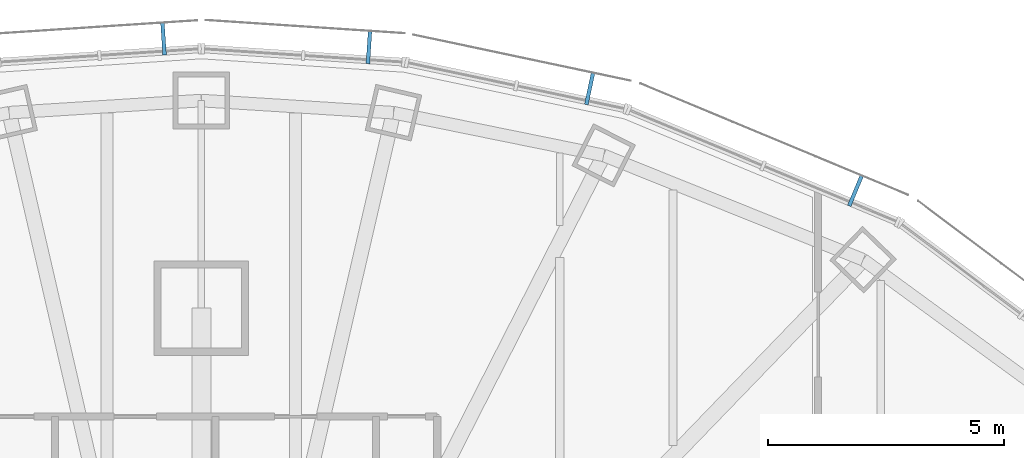
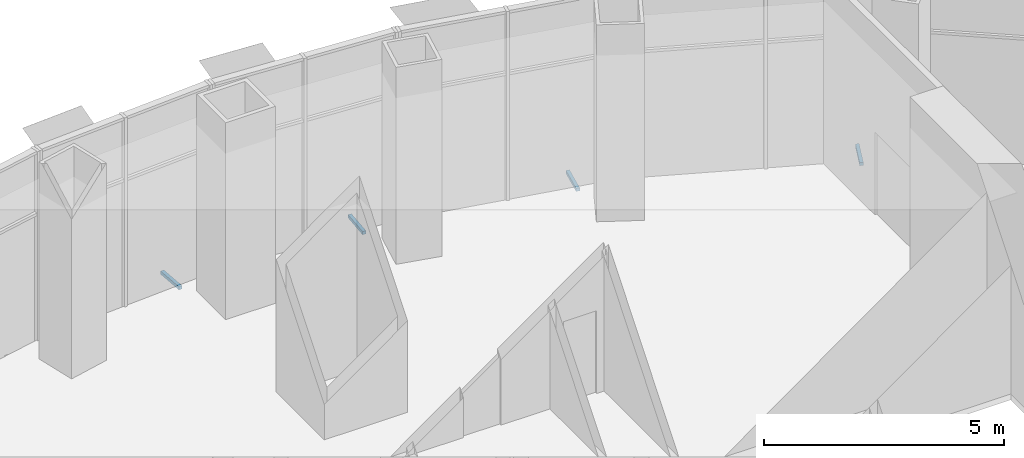
# One storey, part 13 of 17: 4 discrete accessories.
"""IFC4 building model written with IfcOpenShell, lengths in metres."""

import ifcopenshell
import ifcopenshell.guid

model = None  # the IFC model being written
_history = None  # IfcOwnerHistory: only IFC2X3 demands one
_inside = {}  # id of a spatial element -> (the spatial element, [elements in it])
_under = {}  # id of a project, library or spatial element -> (it, [spatial elements below it])
_declared = {}  # id of a project -> (the project, [libraries it declares])
_typed = {}  # id of a type object -> (the type object, [elements of that type])
_made_of = {}  # id of a material, layer set ... -> (it, [elements and type objects made of it])


def new_model(schema):
    """Start an empty IFC model of exactly this schema.

    Asked for "IFC4X3", IfcOpenShell would pick the latest addendum, in which some entities
    have other attributes; the version numbers below select the first issue.
    IFC2X3 requires an IfcOwnerHistory on every rooted entity: one is made here for all.
    """
    global model, _history
    if schema == "IFC4X3":
        model = ifcopenshell.file(schema_version=(4, 3, 0, 0))
    else:
        model = ifcopenshell.file(schema=schema)
    _inside.clear()
    _under.clear()
    _declared.clear()
    _typed.clear()
    _made_of.clear()
    _history = None
    if model.schema == "IFC2X3":
        org = make("IfcOrganization", Name="unknown")
        user = make(
            "IfcPersonAndOrganization",
            ThePerson=make("IfcPerson", FamilyName="unknown"),
            TheOrganization=org,
        )
        app = make(
            "IfcApplication",
            ApplicationDeveloper=org,
            Version="unknown",
            ApplicationFullName="unknown",
            ApplicationIdentifier="unknown",
        )
        _history = make(
            "IfcOwnerHistory",
            OwningUser=user,
            OwningApplication=app,
            ChangeAction="ADDED",
            CreationDate=0,
        )
    return model


def make(cls, **values):
    """One entity of the class cls with the attributes given. An attribute that is None is left unset."""
    return model.create_entity(
        cls, **{name: value for name, value in values.items() if value is not None}
    )


def rooted(cls, **values):
    """An entity with a GlobalId (a new one), such as an element, a storey or a relation."""
    return make(cls, GlobalId=ifcopenshell.guid.new(), OwnerHistory=_history, **values)


def si_unit(unit_type, name, prefix=None):
    """IfcSIUnit, for example si_unit("LENGTHUNIT", "METRE", prefix="MILLI")."""
    return make("IfcSIUnit", UnitType=unit_type, Prefix=prefix, Name=name)


def assignment(units):
    """IfcUnitAssignment: the units of a project."""
    return None if units is None else make("IfcUnitAssignment", Units=units)


def point(xyz):
    """IfcCartesianPoint."""
    return None if xyz is None else make("IfcCartesianPoint", Coordinates=xyz)


def direction(xyz):
    """IfcDirection."""
    return None if xyz is None else make("IfcDirection", DirectionRatios=xyz)


def frame(location, z_axis=None, x_axis=None):
    """IfcAxis2Placement3D, a coordinate frame: its origin and axes. An axis left out is left unset."""
    return make(
        "IfcAxis2Placement3D",
        Location=point(location),
        Axis=direction(z_axis),
        RefDirection=direction(x_axis),
    )


def frame_2d(location, x_axis=None):
    """IfcAxis2Placement2D, a coordinate frame in the plane: its origin and x axis."""
    return make(
        "IfcAxis2Placement2D", Location=point(location), RefDirection=direction(x_axis)
    )


def origin():
    """The frame at (0, 0, 0) with its axes left unset."""
    return frame((0.0, 0.0, 0.0))


def origin_2d():
    """The frame at (0, 0) in the plane with its x axis left unset."""
    return frame_2d((0.0, 0.0))


def place(relative_to, where):
    """IfcLocalPlacement: puts the frame where relative to a parent placement (None: the world)."""
    return make(
        "IfcLocalPlacement", PlacementRelTo=relative_to, RelativePlacement=where
    )


def context(
    kind, dimensions, precision=None, world=None, true_north=None, identifier=None
):
    """IfcGeometricRepresentationContext, for example the 3D "Model" context."""
    return make(
        "IfcGeometricRepresentationContext",
        ContextIdentifier=identifier,
        ContextType=kind,
        CoordinateSpaceDimension=dimensions,
        Precision=precision,
        WorldCoordinateSystem=world,
        TrueNorth=true_north,
    )


def subcontext(parent, identifier, kind, view, scale=None):
    """IfcGeometricRepresentationSubContext, for example "Body" below "Model"."""
    return make(
        "IfcGeometricRepresentationSubContext",
        ContextIdentifier=identifier,
        ContextType=kind,
        ParentContext=parent,
        TargetScale=scale,
        TargetView=view,
    )


def project(units=None, contexts=None):
    """IfcProject with its units and contexts."""
    return rooted(
        "IfcProject",
        Name="project",
        RepresentationContexts=contexts,
        UnitsInContext=assignment(units),
    )


def spatial(cls, under=None, at=None, **own):
    """A site, building, storey or space (cls), placed at a placement, below another one or the project."""
    s = rooted(cls, ObjectPlacement=at, **own)
    if under is not None:
        _under.setdefault(under.id(), (under, []))[1].append(s)
    return s


def profile(cls, at=None, kind="AREA", **sizes):
    """A parametric profile (cls). Its sizes go by their IFC names, for example OverallWidth=200.0."""
    return make(cls, ProfileType=kind, Position=at, **sizes)


def rectangle(**sizes):
    """IfcRectangleProfileDef."""
    return profile("IfcRectangleProfileDef", **sizes)


def extrude(swept, where, along, depth):
    """IfcExtrudedAreaSolid: the profile swept, set in the frame where, extruded along a direction by depth."""
    return make(
        "IfcExtrudedAreaSolid",
        SweptArea=swept,
        Position=where,
        ExtrudedDirection=direction(along),
        Depth=depth,
    )


def shape(context_of_items, identifier, shape_type, items):
    """IfcShapeRepresentation: the items that make up one representation, for example the "Body"."""
    return make(
        "IfcShapeRepresentation",
        ContextOfItems=context_of_items,
        RepresentationIdentifier=identifier,
        RepresentationType=shape_type,
        Items=items,
    )


def made_of(thing, what):
    """Note that an element or type object is made of a material, layer set ...; save() writes the relation."""
    if what is not None:
        _made_of.setdefault(what.id(), (what, []))[1].append(thing)
    return thing


def element(
    cls,
    number,
    at=None,
    inside=None,
    cuts=None,
    type_object=None,
    material=None,
    context=None,
    identifier="Body",
    shape_type=None,
    held_by="IfcProductDefinitionShape",
    body=None,
    shapes=None,
    **own,
):
    """One element of the class cls, such as IfcWall. Its Tag is "e" and its number.

    at: its placement. inside: the storey or other place that contains it. cuts: it is an
    opening in that element (IfcRelVoidsElement). A single representation is given by context,
    identifier, shape_type and body (its items); several are given by shapes. held_by: the class
    of the entity that holds the representations. save() writes the other relations.
    """
    e = rooted(cls, Tag="e%d" % number, ObjectPlacement=at, **own)
    if body is not None:
        shapes = [shape(context, identifier, shape_type, body)]
    if shapes is not None:
        e.Representation = make(held_by, Representations=shapes)
    if inside is not None:
        _inside.setdefault(inside.id(), (inside, []))[1].append(e)
    if cuts is not None:
        rooted(
            "IfcRelVoidsElement", RelatingBuildingElement=cuts, RelatedOpeningElement=e
        )
    if type_object is not None:
        _typed.setdefault(type_object.id(), (type_object, []))[1].append(e)
    return made_of(e, material)


def aggregate(whole, parts):
    """IfcRelAggregates: a whole, such as a stair, and the parts it consists of."""
    return rooted("IfcRelAggregates", RelatingObject=whole, RelatedObjects=parts)


def save(model, path):
    """Write the relations noted so far, then the file.

    IfcRelAggregates (storeys below a building ...), IfcRelContainedInSpatialStructure (elements
    in a storey), IfcRelDefinesByType, IfcRelAssociatesMaterial and IfcRelDeclares: one each for
    every whole, place, type object, material and project.
    """
    for whole, parts in _under.values():
        aggregate(whole, parts)
    for where, things in _inside.values():
        rooted(
            "IfcRelContainedInSpatialStructure",
            RelatedElements=things,
            RelatingStructure=where,
        )
    for kind, things in _typed.values():
        rooted("IfcRelDefinesByType", RelatedObjects=things, RelatingType=kind)
    for what, things in _made_of.values():
        rooted("IfcRelAssociatesMaterial", RelatedObjects=things, RelatingMaterial=what)
    for by, libraries in _declared.values():
        rooted("IfcRelDeclares", RelatingContext=by, RelatedDefinitions=libraries)
    model.write(path)


model = new_model("IFC4")

# Units and contexts
model_context = context("Model", 3, precision=1e-05, world=origin(), true_north=direction((0.0, 1.0)))
body_context = subcontext(model_context, "Body", "Model", "MODEL_VIEW")
ifc_project = project(units=[si_unit("LENGTHUNIT", "METRE"), si_unit("AREAUNIT", "SQUARE_METRE"), si_unit("VOLUMEUNIT", "CUBIC_METRE"), si_unit("PLANEANGLEUNIT", "RADIAN"), si_unit("MASSUNIT", "GRAM", prefix="KILO")], contexts=[model_context])

# Site, building, storey
site_placement = place(None, origin())
site = spatial("IfcSite", under=ifc_project, at=site_placement, CompositionType="ELEMENT")
building_placement = place(site_placement, origin())
building = spatial("IfcBuilding", under=site, at=building_placement, Name="Lantaw Convention Tower", CompositionType="ELEMENT")
storey_placement = place(building_placement, frame((0.0, 0.0, 279.39990234375)))
storey = spatial("IfcBuildingStorey", under=building, at=storey_placement, Name="L65", CompositionType="ELEMENT", Elevation=279.39990234375)

# Discrete accessories
for number, where, z_axis, x_axis, name in (
    (1, (13.865234375, 15.98388671875, -0.114990234375), (0.0, 0.0, 1.0), (-0.923141777124, 0.384459697924, 0.0), "Screen bracket"),
    (2, (8.232177734375, 18.151123046875, -0.114990234375), (0.0, 0.0, 1.0), (-0.978332497083, 0.207039911975, 0.0), "Screen bracket"),
    (3, (3.55322265625, 19.0244140625, -0.114990234375), (0.0, 0.0, 1.0), (-0.997817975525, 0.066024902273, 0.0), "Screen bracket"),
    (4, (-0.801513671875, 19.20654296875, -0.114990234375), (0.0, 0.0, 1.0), (-0.997817975525, -0.066024902273, 0.0), "Screen bracket"),
):
    element("IfcDiscreteAccessory", number, at=place(storey_placement, frame(where, z_axis=z_axis, x_axis=x_axis)), inside=storey, Name=name, PredefinedType="BRACKET", context=body_context, shape_type="SweptSolid", body=[
        extrude(rectangle(XDim=0.080078125, YDim=0.68798828125, at=origin_2d()), origin(), (0.0, 0.0, 1.0), 0.080078125),
    ])

save(model, "model.ifc")
